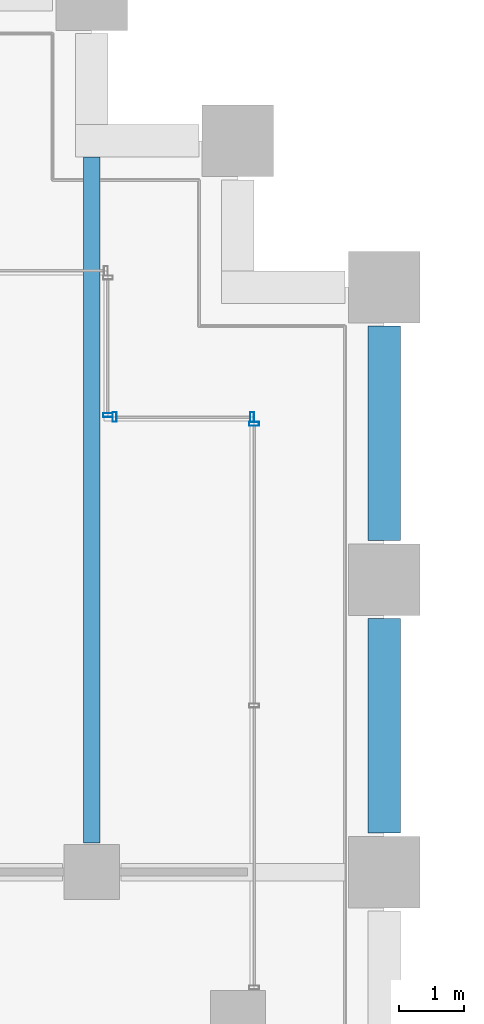
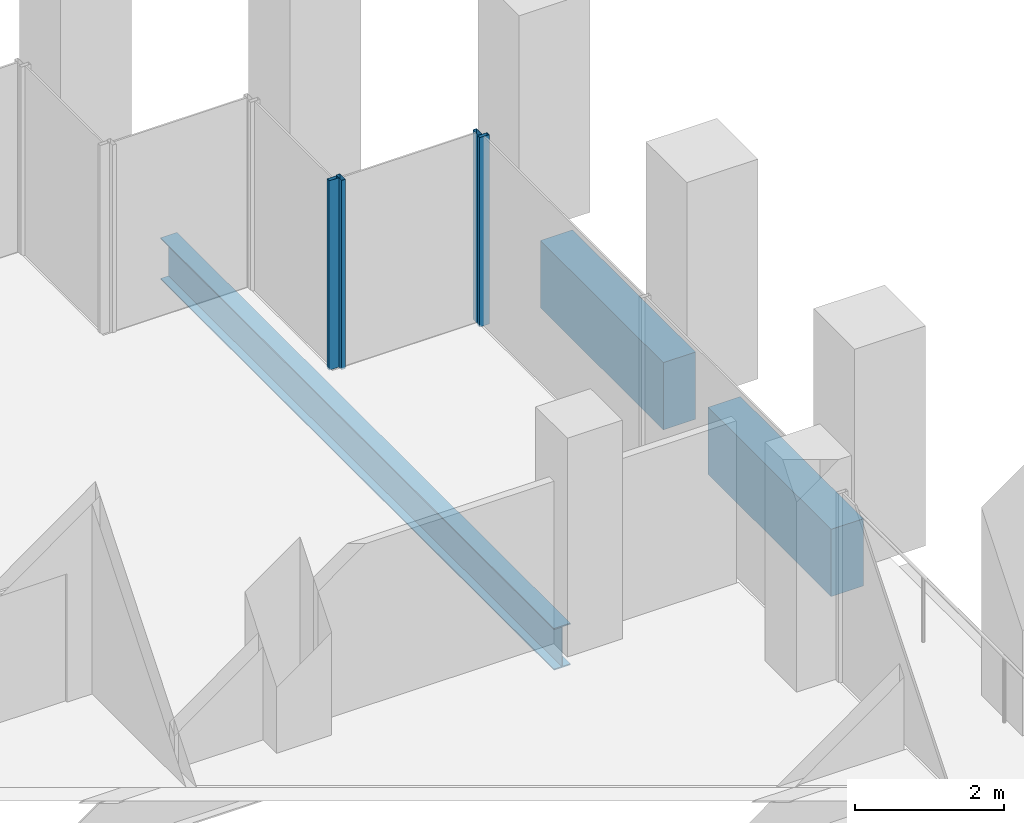
# One storey, part 31 of 55: 4 members, 3 beams, 3 elements without a shape of their own.
"""IFC4 building model written with IfcOpenShell, lengths in metres."""

from ifc_helpers import new_model, si_unit, direction, frame, origin, origin_2d, place, context, subcontext, project, spatial, rectangle, hollow_rectangle, i_section, extrude, material, material_profile, profile_set, type_object, element, aggregate, save


model = new_model("IFC4")

# Units and contexts
model_context = context("Model", 3, precision=1e-05, world=origin(), true_north=direction((0.0, 1.0)))
body_context = subcontext(model_context, "Body", "Model", "MODEL_VIEW")
ifc_project = project(units=[si_unit("LENGTHUNIT", "METRE"), si_unit("AREAUNIT", "SQUARE_METRE"), si_unit("VOLUMEUNIT", "CUBIC_METRE"), si_unit("PLANEANGLEUNIT", "RADIAN"), si_unit("MASSUNIT", "GRAM", prefix="KILO")], contexts=[model_context])

# Site, building, storey
site_placement = place(None, origin())
site = spatial("IfcSite", under=ifc_project, at=site_placement, CompositionType="ELEMENT")
building_placement = place(site_placement, origin())
building = spatial("IfcBuilding", under=site, at=building_placement, Name="Altepetl Exchange Towers", CompositionType="ELEMENT")
storey_placement = place(building_placement, frame((0.0, 0.0, 47.39990234375)))
storey = spatial("IfcBuildingStorey", under=building, at=storey_placement, Name="L10", CompositionType="ELEMENT", Elevation=47.39990234375)

# Beam
ifc_material_1 = material(Name="Steel S355", Category="steel")
ifc_material_profile_1 = material_profile(ifc_material_1, i_section(OverallWidth=0.25390625, OverallDepth=0.68408203125, WebThickness=0.012451171875, FlangeThickness=0.018798828125, at=origin_2d()), Name="W27X94")
ifc_profile_set_1 = profile_set([ifc_material_profile_1], Name="Steel S355")
beam_type_1 = type_object("IfcBeamType", Name="Floor beam W27X94", PredefinedType="BEAM", material=ifc_profile_set_1)
beam_placement = place(storey_placement, frame((67.5, 58.949951171875, -0.491943359375), z_axis=(0.0, 1.0, 0.0), x_axis=(-1.0, 0.0, 0.0)))
element("IfcBeam", 1, at=beam_placement, inside=storey, type_object=beam_type_1, Name="bm:A:L10:005", PredefinedType="BEAM", context=body_context, shape_type="SweptSolid", body=[
    extrude(i_section(OverallWidth=0.25390625, OverallDepth=0.68408203125, WebThickness=0.012451171875, FlangeThickness=0.018798828125, at=origin_2d()), origin(), (0.0, 0.0, 1.0), 10.550048828125),
])

# Curtain wall, member
ifc_material_2 = material(Name="Aluminium 6063-T6 glazing", Category="aluminium")
curtain_wall_type = type_object("IfcCurtainWallType", Name="Loggia glazing system", PredefinedType="NOTDEFINED", material=ifc_material_2)
curtain_wall_1_placement = place(storey_placement, origin())
curtain_wall_1 = element("IfcCurtainWall", 2, at=curtain_wall_1_placement, inside=storey, type_object=curtain_wall_type, Name="CW1 run", PredefinedType="NOTDEFINED")
ifc_material_3 = material(Name="Aluminium 6063-T6", Category="aluminium")
ifc_material_profile_2 = material_profile(ifc_material_3, hollow_rectangle(XDim=0.06005859375, YDim=0.14990234375, WallThickness=0.0029296875, at=origin_2d()), Name="Mullion 60x150 aluminium")
ifc_profile_set_2 = profile_set([ifc_material_profile_2], Name="Aluminium 6063-T6")
member_type = type_object("IfcMemberType", Name="Mullion 60x150 aluminium", PredefinedType="MULLION", material=ifc_profile_set_2)
member_1_placement = place(storey_placement, frame((70.0, 65.39501953125, 0.0), z_axis=(0.0, 0.0, 1.0), x_axis=(0.0, 1.0, 0.0)))
member_1 = element("IfcMember", 3, at=member_1_placement, type_object=member_type, Name="MU1 mullion", PredefinedType="MULLION", context=body_context, shape_type="SweptSolid", body=[
    extrude(hollow_rectangle(XDim=0.06005859375, YDim=0.14990234375, WallThickness=0.0029296875, at=origin_2d()), origin(), (0.0, 0.0, 1.0), 3.10009765625),
])
aggregate(curtain_wall_1, [member_1])

# Curtain wall, members
curtain_wall_2_placement = place(storey_placement, origin())
curtain_wall_2 = element("IfcCurtainWall", 4, at=curtain_wall_2_placement, inside=storey, type_object=curtain_wall_type, Name="CW1 run", PredefinedType="NOTDEFINED")
member_2_placement = place(storey_placement, frame((69.969970703125, 65.5, 0.0), z_axis=(0.0, 0.0, 1.0), x_axis=(-1.0, 0.0, 0.0)))
member_2 = element("IfcMember", 5, at=member_2_placement, type_object=member_type, Name="MU1 mullion", PredefinedType="MULLION", context=body_context, shape_type="SweptSolid", body=[
    extrude(hollow_rectangle(XDim=0.06005859375, YDim=0.14990234375, WallThickness=0.0029296875, at=origin_2d()), origin(), (0.0, 0.0, 1.0), 3.10009765625),
])
member_3_placement = place(storey_placement, frame((67.85498046875, 65.5, 0.0), z_axis=(0.0, 0.0, 1.0), x_axis=(-1.0, 0.0, 0.0)))
member_3 = element("IfcMember", 6, at=member_3_placement, type_object=member_type, Name="MU1 mullion", PredefinedType="MULLION", context=body_context, shape_type="SweptSolid", body=[
    extrude(hollow_rectangle(XDim=0.06005859375, YDim=0.14990234375, WallThickness=0.0029296875, at=origin_2d()), origin(), (0.0, 0.0, 1.0), 3.10009765625),
])
aggregate(curtain_wall_2, [member_2, member_3])

# Curtain wall, member
curtain_wall_3_placement = place(storey_placement, origin())
curtain_wall_3 = element("IfcCurtainWall", 7, at=curtain_wall_3_placement, inside=storey, type_object=curtain_wall_type, Name="CW1 run", PredefinedType="NOTDEFINED")
member_4_placement = place(storey_placement, frame((67.75, 65.530029296875, 0.0), z_axis=(0.0, 0.0, 1.0), x_axis=(0.0, 1.0, 0.0)))
member_4 = element("IfcMember", 8, at=member_4_placement, type_object=member_type, Name="MU1 mullion", PredefinedType="MULLION", context=body_context, shape_type="SweptSolid", body=[
    extrude(hollow_rectangle(XDim=0.06005859375, YDim=0.14990234375, WallThickness=0.0029296875, at=origin_2d()), origin(), (0.0, 0.0, 1.0), 3.10009765625),
])
aggregate(curtain_wall_3, [member_4])

# Beams
ifc_material_4 = material(Name="Concrete C50/60 precast with cantera rosa facing", Category="concrete")
ifc_material_profile_3 = material_profile(ifc_material_4, rectangle(XDim=0.5, YDim=1.10009765625, at=origin_2d()), Name="500 x 1100")
ifc_profile_set_3 = profile_set([ifc_material_profile_3], Name="Concrete C50/60 precast with cantera rosa facing")
beam_type_2 = type_object("IfcBeamType", Name="Spandrel beam 500x1100 cantera rosa", PredefinedType="SPANDREL", material=ifc_profile_set_3)
for number, where, z_axis, x_axis, name in (
    (9, (72.0, 59.10009765625, -0.699951171875), (0.0, 1.0, 0.0), (-1.0, 0.0, 0.0), "sp:A:L10:018"),
    (10, (72.0, 63.60009765625, -0.699951171875), (0.0, 1.0, 0.0), (-1.0, 0.0, 0.0), "sp:A:L10:019"),
):
    element("IfcBeam", number, at=place(storey_placement, frame(where, z_axis=z_axis, x_axis=x_axis)), inside=storey, type_object=beam_type_2, Name=name, PredefinedType="SPANDREL", context=body_context, shape_type="SweptSolid", body=[
        extrude(rectangle(XDim=0.5, YDim=1.10009765625, at=origin_2d()), origin(), (0.0, 0.0, 1.0), 3.2998046875),
    ])

save(model, "model.ifc")
